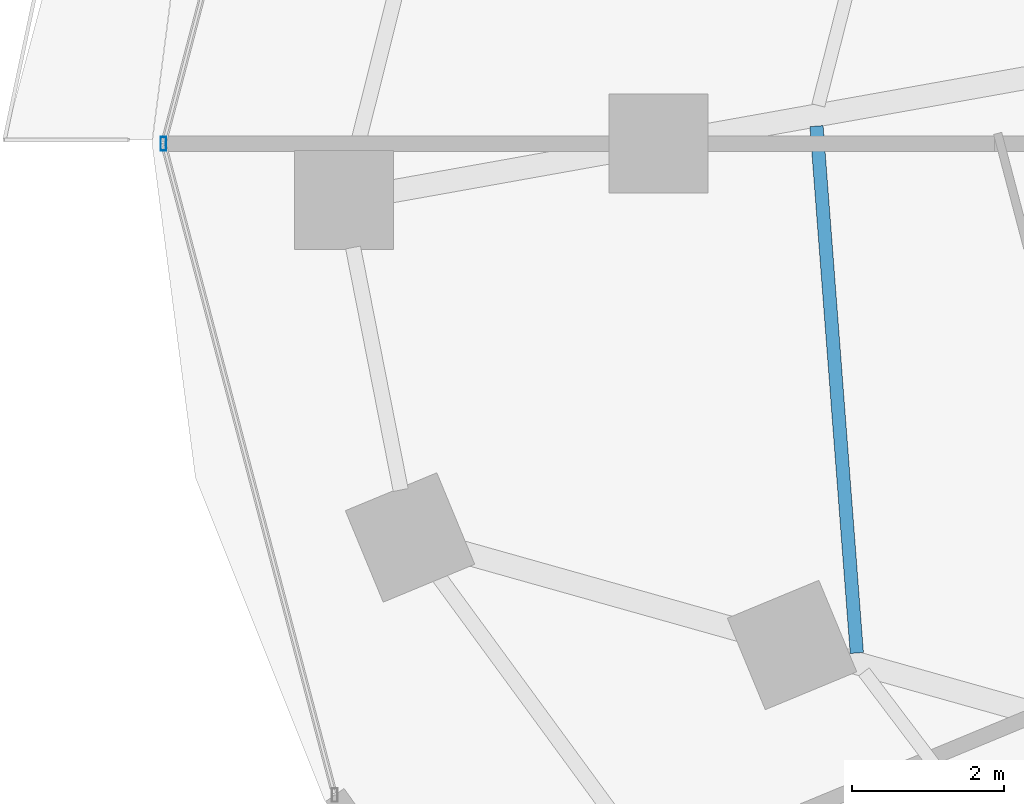
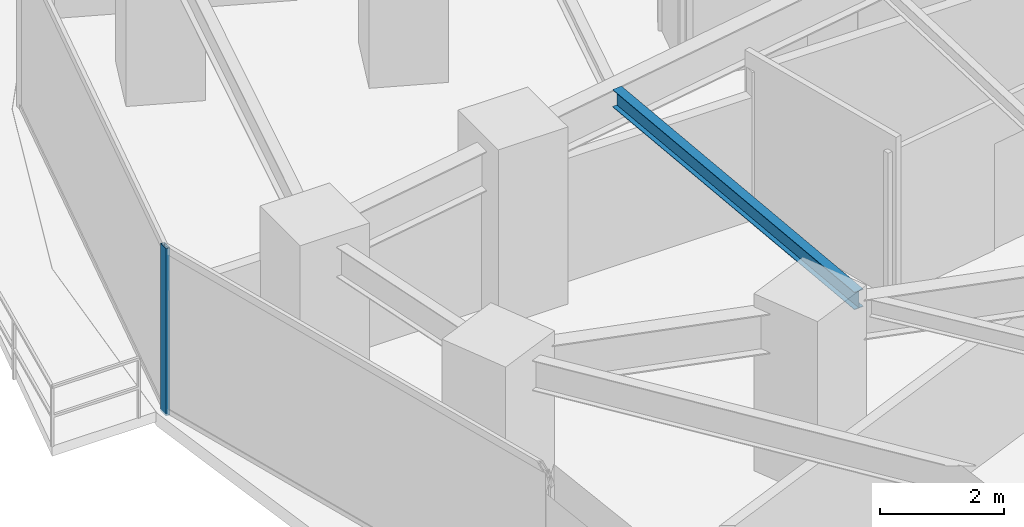
# One storey, part 8 of 34: 1 beam, 1 member, 1 element without a shape of its own.
"""IFC4 building model written with IfcOpenShell, lengths in metres."""

from ifc_helpers import new_model, si_unit, direction, frame, origin, origin_2d, place, context, subcontext, project, spatial, hollow_rectangle, i_section, extrude, material, material_profile, profile_set, type_object, element, aggregate, save


model = new_model("IFC4")

# Units and contexts
model_context = context("Model", 3, precision=1e-05, world=origin(), true_north=direction((0.0, 1.0)))
body_context = subcontext(model_context, "Body", "Model", "MODEL_VIEW")
ifc_project = project(units=[si_unit("LENGTHUNIT", "METRE"), si_unit("AREAUNIT", "SQUARE_METRE"), si_unit("VOLUMEUNIT", "CUBIC_METRE"), si_unit("PLANEANGLEUNIT", "RADIAN"), si_unit("MASSUNIT", "GRAM", prefix="KILO")], contexts=[model_context])

# Site, building, storey
site_placement = place(None, origin())
site = spatial("IfcSite", under=ifc_project, at=site_placement, CompositionType="ELEMENT")
building_placement = place(site_placement, origin())
building = spatial("IfcBuilding", under=site, at=building_placement, Name="Vorneva Point Tower", CompositionType="ELEMENT")
storey_placement = place(building_placement, frame((0.0, 0.0, 27.5)))
storey = spatial("IfcBuildingStorey", under=building, at=storey_placement, Name="L06", CompositionType="ELEMENT", Elevation=27.5)

# Beam
ifc_material_1 = material(Name="Steel S355", Category="steel")
ifc_material_profile_1 = material_profile(ifc_material_1, i_section(OverallWidth=0.174072265625, OverallDepth=0.345947265625, WebThickness=0.006103515625, FlangeThickness=0.009033203125, at=origin_2d()), Name="35B1")
ifc_profile_set_1 = profile_set([ifc_material_profile_1], Name="Steel S355")
beam_type = type_object("IfcBeamType", Name="BM-SEC-35B1", PredefinedType="BEAM", material=ifc_profile_set_1)
beam_placement = place(storey_placement, frame((17.025390625, 26.231689453125, 3.06689453125), z_axis=(0.076314434711, -0.99708380142, 0.0), x_axis=(0.99708380142, 0.076314434711, 0.0)))
element("IfcBeam", 1, at=beam_placement, inside=storey, type_object=beam_type, Name="L06 Secondary Floor Beam 1.09", PredefinedType="BEAM", context=body_context, shape_type="SweptSolid", body=[
    extrude(i_section(OverallWidth=0.174072265625, OverallDepth=0.345947265625, WebThickness=0.006103515625, FlangeThickness=0.009033203125, at=origin_2d()), origin(), (0.0, 0.0, 1.0), 6.93896484375),
])

# Curtain wall, member
ifc_material_2 = material(Name="Pale anodised aluminium", Category="aluminium")
curtain_wall_type = type_object("IfcCurtainWallType", Name="CW-HTL-SYS", PredefinedType="NOTDEFINED", material=ifc_material_2)
curtain_wall_placement = place(storey_placement, origin())
curtain_wall = element("IfcCurtainWall", 2, at=curtain_wall_placement, inside=storey, type_object=curtain_wall_type, Name="L06 Unitised Curtain Wall CW-L06-R03", PredefinedType="NOTDEFINED")
ifc_material_profile_2 = material_profile(ifc_material_2, hollow_rectangle(XDim=0.074951171875, YDim=0.179931640625, WallThickness=0.00390625, at=origin_2d()), Name="AL-MUL 180x75x4")
ifc_profile_set_2 = profile_set([ifc_material_profile_2], Name="Pale anodised aluminium")
member_type = type_object("IfcMemberType", Name="CW-MUL-180", PredefinedType="MULLION", material=ifc_profile_set_2)
member_placement = place(storey_placement, frame((8.449951171875, 26.0, -0.0400390625), z_axis=(0.0, 0.0, 1.0), x_axis=(1.0, 0.0, 0.0)))
member = element("IfcMember", 3, at=member_placement, type_object=member_type, Name="CW-L06-R03 Mullion 03", PredefinedType="MULLION", context=body_context, shape_type="SweptSolid", body=[
    extrude(hollow_rectangle(XDim=0.074951171875, YDim=0.179931640625, WallThickness=0.00390625, at=origin_2d()), origin(), (0.0, 0.0, 1.0), 3.31005859375),
])
aggregate(curtain_wall, [member])

save(model, "model.ifc")
